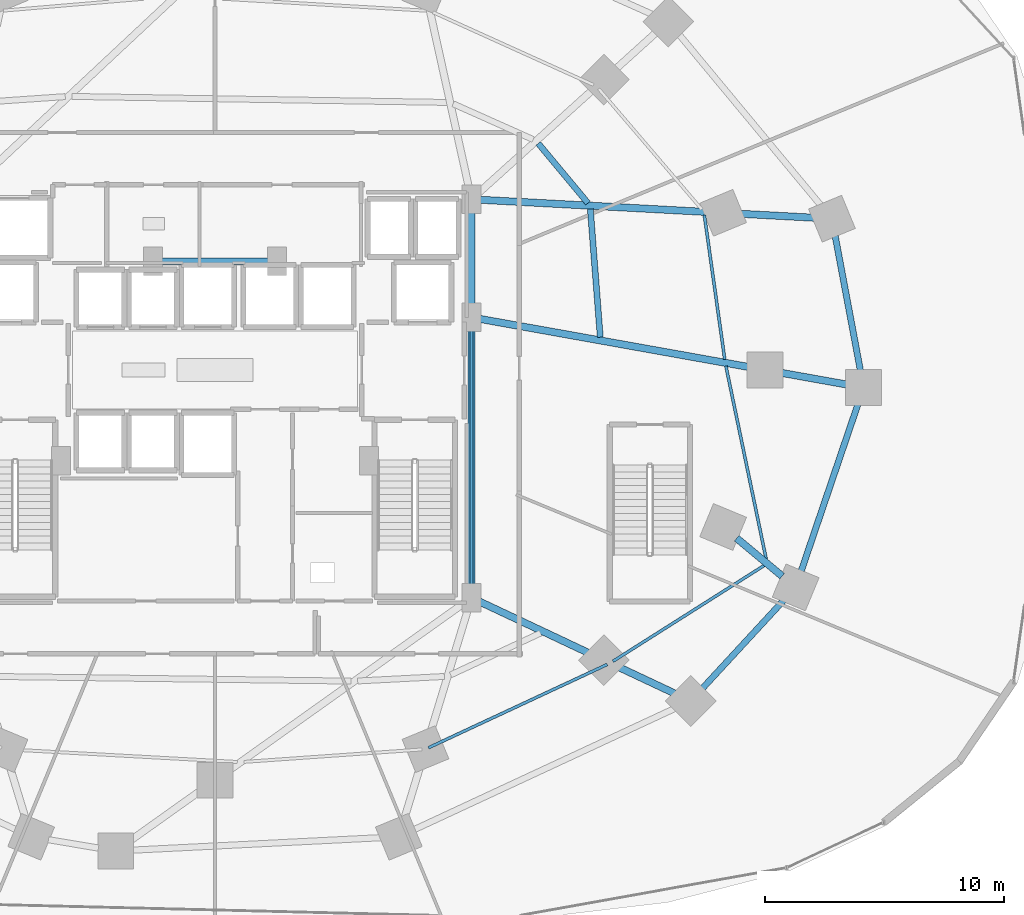
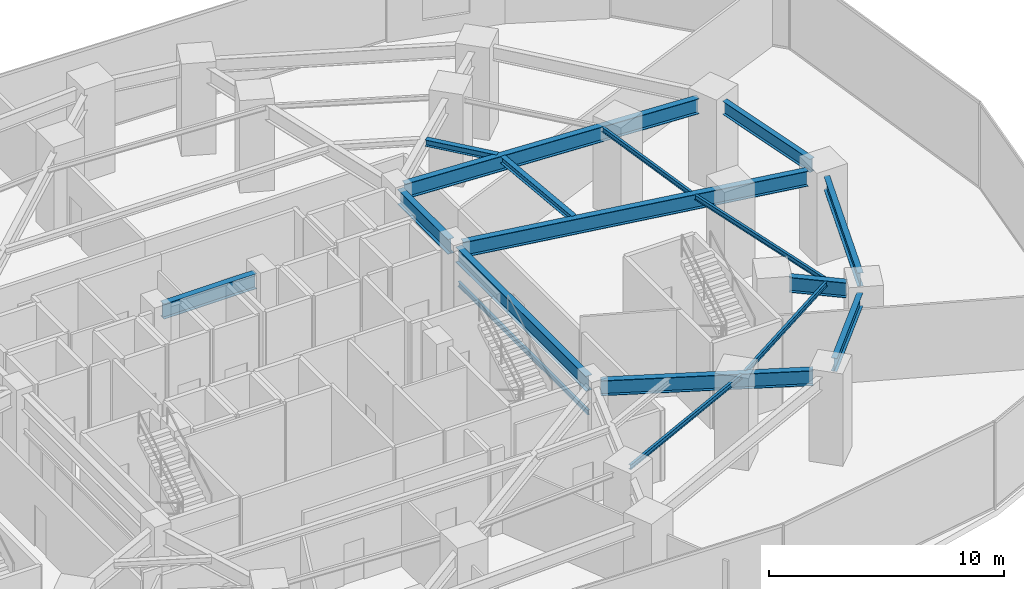
# One storey, part 11 of 27: 17 beams.
"""IFC4 building model written with IfcOpenShell, lengths in metres."""

from ifc_helpers import new_model, si_unit, direction, frame, origin, origin_2d, place, context, subcontext, project, spatial, i_section, extrude, material, material_profile, profile_set, type_object, element, save


model = new_model("IFC4")

# Units and contexts
model_context = context("Model", 3, precision=1e-05, world=origin(), true_north=direction((0.0, 1.0)))
body_context = subcontext(model_context, "Body", "Model", "MODEL_VIEW")
ifc_project = project(units=[si_unit("LENGTHUNIT", "METRE"), si_unit("AREAUNIT", "SQUARE_METRE"), si_unit("VOLUMEUNIT", "CUBIC_METRE"), si_unit("PLANEANGLEUNIT", "RADIAN"), si_unit("MASSUNIT", "GRAM", prefix="KILO")], contexts=[model_context])

# Site, building, storey
site_placement = place(None, origin())
site = spatial("IfcSite", under=ifc_project, at=site_placement, CompositionType="ELEMENT")
building_placement = place(site_placement, origin())
building = spatial("IfcBuilding", under=site, at=building_placement, Name="Vorneva Point Tower", CompositionType="ELEMENT")
storey_placement = place(building_placement, frame((0.0, 0.0, 4.800048828125)))
storey = spatial("IfcBuildingStorey", under=building, at=storey_placement, Name="L01", CompositionType="ELEMENT", Elevation=4.800048828125)

# Beams
ifc_material = material(Name="Steel S355", Category="steel")
ifc_material_profile_1 = material_profile(ifc_material, i_section(OverallWidth=0.300048828125, OverallDepth=0.7880859375, WebThickness=0.014404296875, FlangeThickness=0.02197265625, at=origin_2d()), Name="80Sh1")
ifc_profile_set_1 = profile_set([ifc_material_profile_1], Name="Steel S355")
beam_type_1 = type_object("IfcBeamType", Name="BM-GRD-80Sh1", PredefinedType="USERDEFINED", material=ifc_profile_set_1)
beam_1_placement = place(storey_placement, frame((64.45556640625, 25.390869140625, 4.0859375), z_axis=(-0.984377963628, 0.176068238829, 0.0), x_axis=(-0.176068238829, -0.984377963628, 0.0)))
element("IfcBeam", 1, at=beam_1_placement, inside=storey, type_object=beam_type_1, Name="L01 Radial Primary Girder 01", ObjectType="GIRDER", PredefinedType="USERDEFINED", context=body_context, shape_type="SweptSolid", body=[
    extrude(i_section(OverallWidth=0.300048828125, OverallDepth=0.7880859375, WebThickness=0.014404296875, FlangeThickness=0.02197265625, at=origin_2d()), origin(), (0.0, 0.0, 1.0), 15.61474609375),
])
beam_2_placement = place(storey_placement, frame((63.11767578125, 32.37646484375, 4.0859375), z_axis=(-0.99855432341, 0.053751866937, 0.0), x_axis=(-0.053751866937, -0.99855432341, 0.0)))
element("IfcBeam", 2, at=beam_2_placement, inside=storey, type_object=beam_type_1, Name="L01 Radial Primary Girder 02", ObjectType="GIRDER", PredefinedType="USERDEFINED", context=body_context, shape_type="SweptSolid", body=[
    extrude(i_section(OverallWidth=0.300048828125, OverallDepth=0.7880859375, WebThickness=0.014404296875, FlangeThickness=0.02197265625, at=origin_2d()), origin(), (0.0, 0.0, 1.0), 14.04833984375),
])
beam_3_placement = place(storey_placement, frame((57.27099609375, 12.4384765625, 4.0859375), z_axis=(-0.90475164766, 0.425939498117, 0.0), x_axis=(-0.425939498117, -0.90475164766, 0.0)))
element("IfcBeam", 3, at=beam_3_placement, inside=storey, type_object=beam_type_1, Name="L01 Radial Primary Girder 15", ObjectType="GIRDER", PredefinedType="USERDEFINED", context=body_context, shape_type="SweptSolid", body=[
    extrude(i_section(OverallWidth=0.300048828125, OverallDepth=0.7880859375, WebThickness=0.014404296875, FlangeThickness=0.02197265625, at=origin_2d()), origin(), (0.0, 0.0, 1.0), 9.078125),
])
beam_4_placement = place(storey_placement, frame((61.767822265625, 17.35888671875, 4.0859375), z_axis=(-0.768431084561, 0.63993254979, 0.0), x_axis=(-0.63993254979, -0.768431084561, 0.0)))
element("IfcBeam", 4, at=beam_4_placement, inside=storey, type_object=beam_type_1, Name="L01 Radial Primary Girder 16", ObjectType="GIRDER", PredefinedType="USERDEFINED", context=body_context, shape_type="SweptSolid", body=[
    extrude(i_section(OverallWidth=0.300048828125, OverallDepth=0.7880859375, WebThickness=0.014404296875, FlangeThickness=0.02197265625, at=origin_2d()), origin(), (0.0, 0.0, 1.0), 2.4794921875),
])
beam_5_placement = place(storey_placement, frame((48.75, 16.77001953125, 4.0859375), z_axis=(0.0, 1.0, 0.0), x_axis=(-1.0, 0.0, 0.0)))
element("IfcBeam", 5, at=beam_5_placement, inside=storey, type_object=beam_type_1, Name="L01 Core Tie Girder CT3", ObjectType="GIRDER", PredefinedType="USERDEFINED", context=body_context, shape_type="SweptSolid", body=[
    extrude(i_section(OverallWidth=0.300048828125, OverallDepth=0.7880859375, WebThickness=0.014404296875, FlangeThickness=0.02197265625, at=origin_2d()), origin(), (0.0, 0.0, 1.0), 11.10986328125),
])
beam_6_placement = place(storey_placement, frame((48.75, 28.52001953125, 4.0859375), z_axis=(0.0, 1.0, 0.0), x_axis=(-1.0, 0.0, 0.0)))
element("IfcBeam", 6, at=beam_6_placement, inside=storey, type_object=beam_type_1, Name="L01 Core Tie Girder CT4", ObjectType="GIRDER", PredefinedType="USERDEFINED", context=body_context, shape_type="SweptSolid", body=[
    extrude(i_section(OverallWidth=0.300048828125, OverallDepth=0.7880859375, WebThickness=0.014404296875, FlangeThickness=0.02197265625, at=origin_2d()), origin(), (0.0, 0.0, 1.0), 4.31005859375),
])
beam_7_placement = place(storey_placement, frame((35.719970703125, 30.550048828125, 4.0859375), z_axis=(1.0, 0.0, 0.0), x_axis=(0.0, 1.0, 0.0)))
element("IfcBeam", 7, at=beam_7_placement, inside=storey, type_object=beam_type_1, Name="L01 Core Tie Girder CT8", ObjectType="GIRDER", PredefinedType="USERDEFINED", context=body_context, shape_type="SweptSolid", body=[
    extrude(i_section(OverallWidth=0.300048828125, OverallDepth=0.7880859375, WebThickness=0.014404296875, FlangeThickness=0.02197265625, at=origin_2d()), origin(), (0.0, 0.0, 1.0), 4.56005859375),
])
ifc_material_profile_2 = material_profile(ifc_material, i_section(OverallWidth=0.1240234375, OverallDepth=0.248046875, WebThickness=0.0048828125, FlangeThickness=0.008056640625, at=origin_2d()), Name="25B1")
ifc_profile_set_2 = profile_set([ifc_material_profile_2], Name="Steel S355")
beam_type_2 = type_object("IfcBeamType", Name="BM-JST-25B1", PredefinedType="JOIST", material=ifc_profile_set_2)
beam_8_placement = place(storey_placement, frame((59.364013671875, 26.434814453125, 4.35595703125), z_axis=(-0.140029308351, 0.990147359135, 0.0), x_axis=(-0.990147359135, -0.140029308351, 0.0)))
element("IfcBeam", 8, at=beam_8_placement, inside=storey, type_object=beam_type_2, Name="L01 Secondary Floor Beam 1.01", PredefinedType="JOIST", context=body_context, shape_type="SweptSolid", body=[
    extrude(i_section(OverallWidth=0.1240234375, OverallDepth=0.248046875, WebThickness=0.0048828125, FlangeThickness=0.008056640625, at=origin_2d()), origin(), (0.0, 0.0, 1.0), 6.114501953125),
])
beam_9_placement = place(storey_placement, frame((46.94482421875, 10.1640625, 4.35595703125), z_axis=(0.906344573317, 0.422539364342, 0.0), x_axis=(-0.422539364342, 0.906344573317, 0.0)))
element("IfcBeam", 9, at=beam_9_placement, inside=storey, type_object=beam_type_2, Name="L01 Secondary Floor Beam 1.14", PredefinedType="JOIST", context=body_context, shape_type="SweptSolid", body=[
    extrude(i_section(OverallWidth=0.1240234375, OverallDepth=0.248046875, WebThickness=0.0048828125, FlangeThickness=0.008056640625, at=origin_2d()), origin(), (0.0, 0.0, 1.0), 8.2646484375),
])
beam_10_placement = place(storey_placement, frame((54.67724609375, 13.788330078125, 4.35595703125), z_axis=(0.844721117908, 0.535206719838, 0.0), x_axis=(-0.535206719838, 0.844721117908, 0.0)))
element("IfcBeam", 10, at=beam_10_placement, inside=storey, type_object=beam_type_2, Name="L01 Secondary Floor Beam 1.15", PredefinedType="JOIST", context=body_context, shape_type="SweptSolid", body=[
    extrude(i_section(OverallWidth=0.1240234375, OverallDepth=0.248046875, WebThickness=0.0048828125, FlangeThickness=0.008056640625, at=origin_2d()), origin(), (0.0, 0.0, 1.0), 7.51171875),
])
beam_11_placement = place(storey_placement, frame((61.11083984375, 18.017578125, 4.35595703125), z_axis=(-0.204240133495, 0.978920817978, 0.0), x_axis=(-0.978920817978, -0.204240133495, 0.0)))
element("IfcBeam", 11, at=beam_11_placement, inside=storey, type_object=beam_type_2, Name="L01 Secondary Floor Beam 1.16", PredefinedType="JOIST", context=body_context, shape_type="SweptSolid", body=[
    extrude(i_section(OverallWidth=0.1240234375, OverallDepth=0.248046875, WebThickness=0.0048828125, FlangeThickness=0.008056640625, at=origin_2d()), origin(), (0.0, 0.0, 1.0), 8.32080078125),
])
ifc_material_profile_3 = material_profile(ifc_material, i_section(OverallWidth=0.1240234375, OverallDepth=0.248046875, WebThickness=0.0048828125, FlangeThickness=0.008056640625, at=origin_2d()), Name="25B1")
ifc_profile_set_3 = profile_set([ifc_material_profile_3], Name="Steel S355")
beam_type_3 = type_object("IfcBeamType", Name="BM-LNT-25B1", PredefinedType="LINTEL", material=ifc_profile_set_3)
beam_12_placement = place(storey_placement, frame((48.75, 16.7900390625, 2.550048828125), z_axis=(0.0, 1.0, 0.0), x_axis=(-1.0, 0.0, 0.0)))
element("IfcBeam", 12, at=beam_12_placement, inside=storey, type_object=beam_type_3, Name="L01 Core Opening Lintel Beam E", PredefinedType="LINTEL", context=body_context, shape_type="SweptSolid", body=[
    extrude(i_section(OverallWidth=0.1240234375, OverallDepth=0.248046875, WebThickness=0.0048828125, FlangeThickness=0.008056640625, at=origin_2d()), origin(), (0.0, 0.0, 1.0), 11.070068359375),
])
ifc_material_profile_4 = material_profile(ifc_material, i_section(OverallWidth=0.2490234375, OverallDepth=0.333984375, WebThickness=0.008056640625, FlangeThickness=0.010986328125, at=origin_2d()), Name="35Sh1")
ifc_profile_set_4 = profile_set([ifc_material_profile_4], Name="Steel S355")
beam_type_4 = type_object("IfcBeamType", Name="BM-SEC-35Sh1", PredefinedType="BEAM", material=ifc_profile_set_4)
beam_13_placement = place(storey_placement, frame((54.146484375, 27.370361328125, 4.31298828125), z_axis=(-0.07735451237, 0.997003650653, 0.0), x_axis=(-0.997003650653, -0.07735451237, 0.0)))
element("IfcBeam", 13, at=beam_13_placement, inside=storey, type_object=beam_type_4, Name="L01 Secondary Floor Beam 2.01", PredefinedType="BEAM", context=body_context, shape_type="SweptSolid", body=[
    extrude(i_section(OverallWidth=0.2490234375, OverallDepth=0.333984375, WebThickness=0.008056640625, FlangeThickness=0.010986328125, at=origin_2d()), origin(), (0.0, 0.0, 1.0), 5.390625),
])
beam_14_placement = place(storey_placement, frame((53.630615234375, 32.988525390625, 4.31298828125), z_axis=(-0.639557326203, 0.768743407451, 0.0), x_axis=(-0.768743407451, -0.639557326203, 0.0)))
element("IfcBeam", 14, at=beam_14_placement, inside=storey, type_object=beam_type_4, Name="L01 Secondary Floor Beam 2.02", PredefinedType="BEAM", context=body_context, shape_type="SweptSolid", body=[
    extrude(i_section(OverallWidth=0.2490234375, OverallDepth=0.333984375, WebThickness=0.008056640625, FlangeThickness=0.010986328125, at=origin_2d()), origin(), (0.0, 0.0, 1.0), 3.256103515625),
])
ifc_material_profile_5 = material_profile(ifc_material, i_section(OverallWidth=0.260009765625, OverallDepth=0.69091796875, WebThickness=0.011962890625, FlangeThickness=0.015380859375, at=origin_2d()), Name="70B1")
ifc_profile_set_5 = profile_set([ifc_material_profile_5], Name="Steel S355")
beam_type_5 = type_object("IfcBeamType", Name="BM-SPN-70B1", PredefinedType="SPANDREL", material=ifc_profile_set_5)
beam_15_placement = place(storey_placement, frame((65.046630859375, 25.9833984375, 4.134521484375), z_axis=(-0.184432616026, 0.982845160819, 0.0), x_axis=(-0.982845160819, -0.184432616026, 0.0)))
element("IfcBeam", 15, at=beam_15_placement, inside=storey, type_object=beam_type_5, Name="L01 Perimeter Spandrel Ring Beam 01", PredefinedType="SPANDREL", context=body_context, shape_type="SweptSolid", body=[
    extrude(i_section(OverallWidth=0.260009765625, OverallDepth=0.69091796875, WebThickness=0.011962890625, FlangeThickness=0.015380859375, at=origin_2d()), origin(), (0.0, 0.0, 1.0), 5.729248046875),
])
beam_16_placement = place(storey_placement, frame((58.437255859375, 12.664306640625, 4.134521484375), z_axis=(0.678284149777, 0.734799708874, 0.0), x_axis=(-0.734799708874, 0.678284149777, 0.0)))
element("IfcBeam", 16, at=beam_16_placement, inside=storey, type_object=beam_type_5, Name="L01 Perimeter Spandrel Ring Beam 15", PredefinedType="SPANDREL", context=body_context, shape_type="SweptSolid", body=[
    extrude(i_section(OverallWidth=0.260009765625, OverallDepth=0.69091796875, WebThickness=0.011962890625, FlangeThickness=0.015380859375, at=origin_2d()), origin(), (0.0, 0.0, 1.0), 5.010986328125),
])
beam_17_placement = place(storey_placement, frame((62.571533203125, 17.58251953125, 4.134521484375), z_axis=(0.321902733239, 0.94677274482, 0.0), x_axis=(-0.94677274482, 0.321902733239, 0.0)))
element("IfcBeam", 17, at=beam_17_placement, inside=storey, type_object=beam_type_5, Name="L01 Perimeter Spandrel Ring Beam 16", PredefinedType="SPANDREL", context=body_context, shape_type="SweptSolid", body=[
    extrude(i_section(OverallWidth=0.260009765625, OverallDepth=0.69091796875, WebThickness=0.011962890625, FlangeThickness=0.015380859375, at=origin_2d()), origin(), (0.0, 0.0, 1.0), 7.375),
])

save(model, "model.ifc")
